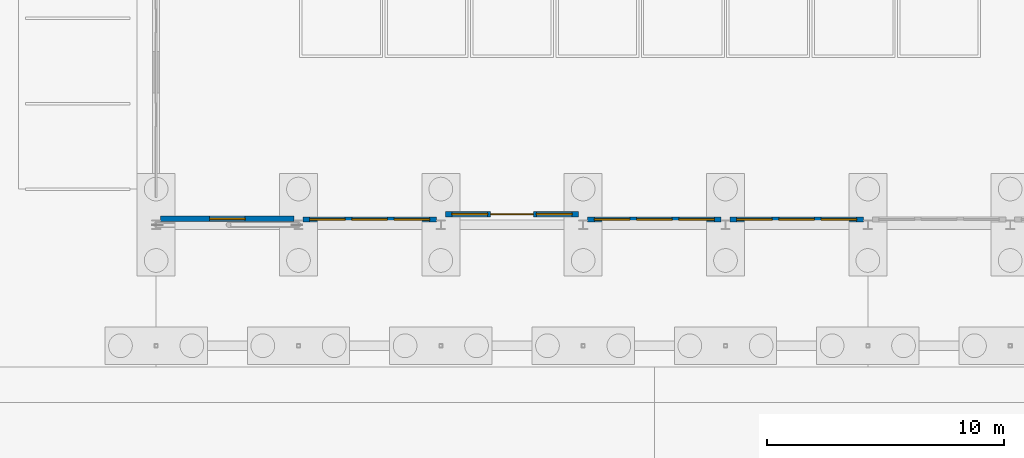
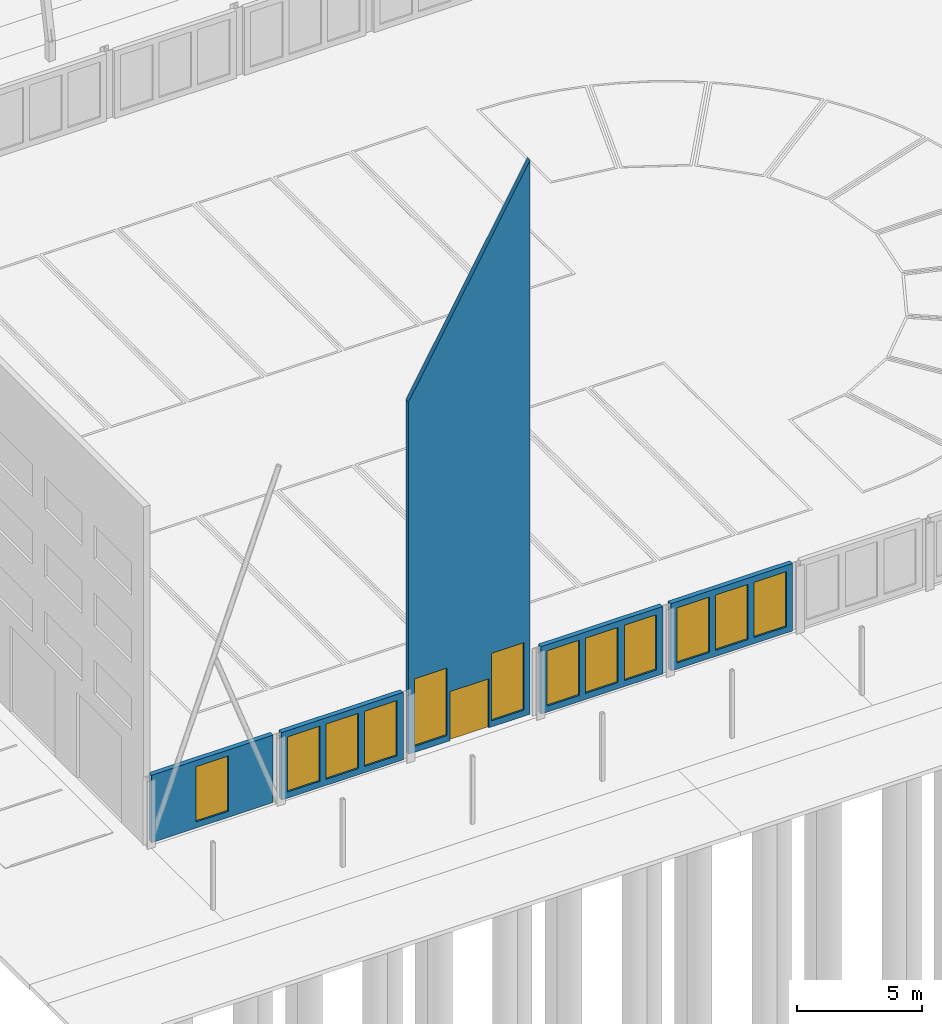
# One storey, part 76 of 130: 12 windows, 5 walls, 1 door, 13 openings.
"""IFC4 building model written with IfcOpenShell, lengths in metres."""

from ifc_helpers import new_model, si_unit, direction, frame, frame_2d, origin, place, context, subcontext, project, spatial, polyline, rectangle, outline, extrude, material, layer, layer_set, type_object, element, fill, save


model = new_model("IFC4")

# Units and contexts
model_context = context("Model", 3, precision=1e-05, world=origin(), true_north=direction((0.0, 1.0)))
body_context = subcontext(model_context, "Body", "Model", "MODEL_VIEW")
ifc_project = project(units=[si_unit("LENGTHUNIT", "METRE"), si_unit("AREAUNIT", "SQUARE_METRE"), si_unit("VOLUMEUNIT", "CUBIC_METRE"), si_unit("PLANEANGLEUNIT", "RADIAN"), si_unit("MASSUNIT", "GRAM", prefix="KILO")], contexts=[model_context])

# Site, building, storey
site_placement = place(None, origin())
site = spatial("IfcSite", under=ifc_project, at=site_placement, CompositionType="ELEMENT")
building_placement = place(site_placement, origin())
building = spatial("IfcBuilding", under=site, at=building_placement, Name="Parallax Yard Mobility Hub", CompositionType="ELEMENT")
storey_placement = place(building_placement, origin())
storey = spatial("IfcBuildingStorey", under=building, at=storey_placement, Name="L00", CompositionType="ELEMENT", Elevation=0.0)

# Wall, opening, window
ifc_material_1 = material(Name="Concrete fc' 35 MPa", Category="concrete")
ifc_layer = layer(ifc_material_1, 0.219970703125)
ifc_layer_set = layer_set([ifc_layer], Name="Gable panel, Concrete fc' 35 MPa precast, 220")
wall_type = type_object("IfcWallType", Name="Gable panel, Concrete fc' 35 MPa precast, 220", PredefinedType="SOLIDWALL", material=ifc_layer_set)
wall_1_placement = place(storey_placement, frame((9.1865234375, 7.74951171875, 0.0), z_axis=(0.0, 0.0, 1.0), x_axis=(1.0, 0.0, 0.0)))
wall_1 = element("IfcWall", 1, at=wall_1_placement, inside=storey, type_object=wall_type, Name="Bus and taxi deck south gable wall bay 1 level L00", PredefinedType="SOLIDWALL", context=body_context, shape_type="SweptSolid", body=[
    extrude(rectangle(XDim=5.626953125, YDim=0.219970703125, at=frame_2d((2.8134765625, 0.0))), origin(), (0.0, 0.0, 1.0), 3.300048828125),
])
opening_1_placement = place(wall_1_placement, frame((2.0634765625, 0.0, 0.300048828125)))
opening_1 = element("IfcOpeningElement", 2, at=opening_1_placement, cuts=wall_1, Name="Opening LV8", PredefinedType="OPENING", context=body_context, shape_type="SweptSolid", body=[
    extrude(rectangle(XDim=1.5, YDim=2.699951171875, at=frame_2d((0.75, 1.35009765625))), frame((0.0, 0.1201171875, 0.0), z_axis=(0.0, -1.0, 0.0), x_axis=(1.0, 0.0, 0.0)), (0.0, 0.0, 1.0), 0.239990234375),
])
ifc_material_2 = material(Name="Extruded aluminium storm louvre blades in a powder-coated frame", Category="aluminium")
window_type_1 = type_object("IfcWindowType", Name="Storm louvre 1500 x 2700", PartitioningType="SINGLE_PANEL", PredefinedType="WINDOW", material=ifc_material_2)
window_1_placement = place(opening_1_placement, origin())
window_1 = element("IfcWindow", 3, at=window_1_placement, inside=storey, type_object=window_type_1, Name="LV8 louvre level L00", OverallHeight=2.699951171875, OverallWidth=1.5, PartitioningType="SINGLE_PANEL", PredefinedType="WINDOW", context=body_context, shape_type="SweptSolid", body=[
    extrude(rectangle(XDim=1.5, YDim=2.699951171875, at=frame_2d((0.75, 1.35009765625))), frame((0.0, 0.030029296875, 0.0), z_axis=(0.0, -1.0, 0.0), x_axis=(1.0, 0.0, 0.0)), (0.0, 0.0, 1.0), 0.06005859375),
])
fill(opening_1, window_1)

# Wall, openings, windows
wall_2_placement = place(storey_placement, frame((15.1865234375, 7.72412109375, 0.0), z_axis=(0.0, 0.0, 1.0), x_axis=(1.0, 0.0, 0.0)))
wall_2 = element("IfcWall", 4, at=wall_2_placement, inside=storey, type_object=wall_type, Name="Bus and taxi deck south gable wall bay 2 level L00", PredefinedType="SOLIDWALL", context=body_context, shape_type="SweptSolid", body=[
    extrude(rectangle(XDim=5.626953125, YDim=0.219970703125, at=frame_2d((2.8134765625, 0.0))), origin(), (0.0, 0.0, 1.0), 3.300048828125),
])
opening_2_placement = place(wall_2_placement, frame((0.28173828125, 0.0, 0.300048828125)))
opening_2 = element("IfcOpeningElement", 5, at=opening_2_placement, cuts=wall_2, Name="Opening LV8", PredefinedType="OPENING", context=body_context, shape_type="SweptSolid", body=[
    extrude(rectangle(XDim=1.5, YDim=2.699951171875, at=frame_2d((0.75, 1.35009765625))), frame((0.0, 0.1201171875, 0.0), z_axis=(0.0, -1.0, 0.0), x_axis=(1.0, 0.0, 0.0)), (0.0, 0.0, 1.0), 0.239990234375),
])
opening_3_placement = place(wall_2_placement, frame((2.0634765625, 0.0, 0.300048828125)))
opening_3 = element("IfcOpeningElement", 6, at=opening_3_placement, cuts=wall_2, Name="Opening LV8", PredefinedType="OPENING", context=body_context, shape_type="SweptSolid", body=[
    extrude(rectangle(XDim=1.5, YDim=2.699951171875, at=frame_2d((0.75, 1.35009765625))), frame((0.0, 0.1201171875, 0.0), z_axis=(0.0, -1.0, 0.0), x_axis=(1.0, 0.0, 0.0)), (0.0, 0.0, 1.0), 0.239990234375),
])
opening_4_placement = place(wall_2_placement, frame((3.84521484375, 0.0, 0.300048828125)))
opening_4 = element("IfcOpeningElement", 7, at=opening_4_placement, cuts=wall_2, Name="Opening LV8", PredefinedType="OPENING", context=body_context, shape_type="SweptSolid", body=[
    extrude(rectangle(XDim=1.5, YDim=2.699951171875, at=frame_2d((0.75, 1.35009765625))), frame((0.0, 0.1201171875, 0.0), z_axis=(0.0, -1.0, 0.0), x_axis=(1.0, 0.0, 0.0)), (0.0, 0.0, 1.0), 0.239990234375),
])
window_2_placement = place(opening_2_placement, origin())
window_2 = element("IfcWindow", 8, at=window_2_placement, inside=storey, type_object=window_type_1, Name="LV8 louvre level L00", OverallHeight=2.699951171875, OverallWidth=1.5, PartitioningType="SINGLE_PANEL", PredefinedType="WINDOW", context=body_context, shape_type="SweptSolid", body=[
    extrude(rectangle(XDim=1.5, YDim=2.699951171875, at=frame_2d((0.75, 1.35009765625))), frame((0.0, 0.030029296875, 0.0), z_axis=(0.0, -1.0, 0.0), x_axis=(1.0, 0.0, 0.0)), (0.0, 0.0, 1.0), 0.06005859375),
])
fill(opening_2, window_2)
window_3_placement = place(opening_3_placement, origin())
window_3 = element("IfcWindow", 9, at=window_3_placement, inside=storey, type_object=window_type_1, Name="LV8 louvre level L00", OverallHeight=2.699951171875, OverallWidth=1.5, PartitioningType="SINGLE_PANEL", PredefinedType="WINDOW", context=body_context, shape_type="SweptSolid", body=[
    extrude(rectangle(XDim=1.5, YDim=2.699951171875, at=frame_2d((0.75, 1.35009765625))), frame((0.0, 0.030029296875, 0.0), z_axis=(0.0, -1.0, 0.0), x_axis=(1.0, 0.0, 0.0)), (0.0, 0.0, 1.0), 0.06005859375),
])
fill(opening_3, window_3)
window_4_placement = place(opening_4_placement, origin())
window_4 = element("IfcWindow", 10, at=window_4_placement, inside=storey, type_object=window_type_1, Name="LV8 louvre level L00", OverallHeight=2.699951171875, OverallWidth=1.5, PartitioningType="SINGLE_PANEL", PredefinedType="WINDOW", context=body_context, shape_type="SweptSolid", body=[
    extrude(rectangle(XDim=1.5, YDim=2.699951171875, at=frame_2d((0.75, 1.35009765625))), frame((0.0, 0.030029296875, 0.0), z_axis=(0.0, -1.0, 0.0), x_axis=(1.0, 0.0, 0.0)), (0.0, 0.0, 1.0), 0.06005859375),
])
fill(opening_4, window_4)

# Wall, openings, door, windows
wall_3_placement = place(storey_placement, frame((21.1865234375, 7.9482421875, 0.0), z_axis=(0.0, 0.0, 1.0), x_axis=(1.0, 0.0, 0.0)))
wall_3 = element("IfcWall", 11, at=wall_3_placement, inside=storey, type_object=wall_type, Name="Bus and taxi deck south gable wall bay 3 level L00", PredefinedType="SOLIDWALL", context=body_context, shape_type="SweptSolid", body=[
    extrude(outline(polyline([(0.0, 0.0), (5.626953125, 0.0), (5.626953125, 27.095947265625), (5.38232421875, 26.666748046875), (5.1376953125, 26.237548828125), (3.914306640625, 24.091552734375), (3.669921875, 23.66259765625), (2.691162109375, 21.94580078125), (2.446533203125, 21.5166015625), (1.468017578125, 19.7998046875), (1.223388671875, 19.37060546875), (0.24462890625, 17.65380859375), (0.0, 17.224853515625), (0.0, 0.0)])), frame((0.0, 0.10986328125, 0.0), z_axis=(0.0, -1.0, 0.0), x_axis=(1.0, 0.0, 0.0)), (0.0, 0.0, 1.0), 0.219970703125),
])
opening_5_placement = place(wall_3_placement, frame((1.91357421875, 0.0, 0.0)))
opening_5 = element("IfcOpeningElement", 12, at=opening_5_placement, cuts=wall_3, Name="Opening L00-D101", PredefinedType="OPENING", context=body_context, shape_type="SweptSolid", body=[
    extrude(rectangle(XDim=1.800048828125, YDim=2.39990234375, at=frame_2d((0.89990234375, 1.199951171875))), frame((0.0, 0.1201171875, 0.0), z_axis=(0.0, -1.0, 0.0), x_axis=(1.0, 0.0, 0.0)), (0.0, 0.0, 1.0), 0.239990234375),
])
opening_6_placement = place(wall_3_placement, frame((0.28173828125, 0.0, 0.300048828125)))
opening_6 = element("IfcOpeningElement", 13, at=opening_6_placement, cuts=wall_3, Name="Opening LV1", PredefinedType="OPENING", context=body_context, shape_type="SweptSolid", body=[
    extrude(rectangle(XDim=1.5, YDim=3.300048828125, at=frame_2d((0.75, 1.64990234375))), frame((0.0, 0.1201171875, 0.0), z_axis=(0.0, -1.0, 0.0), x_axis=(1.0, 0.0, 0.0)), (0.0, 0.0, 1.0), 0.239990234375),
])
opening_7_placement = place(wall_3_placement, frame((3.84521484375, 0.0, 0.300048828125)))
opening_7 = element("IfcOpeningElement", 14, at=opening_7_placement, cuts=wall_3, Name="Opening LV1", PredefinedType="OPENING", context=body_context, shape_type="SweptSolid", body=[
    extrude(rectangle(XDim=1.5, YDim=3.300048828125, at=frame_2d((0.75, 1.64990234375))), frame((0.0, 0.1201171875, 0.0), z_axis=(0.0, -1.0, 0.0), x_axis=(1.0, 0.0, 0.0)), (0.0, 0.0, 1.0), 0.239990234375),
])
ifc_material_3 = material(Name="Aluminium frame with laminated glass leaves", Category="aluminium")
door_type = type_object("IfcDoorType", Name="Entrance door double 1800 x 2400", OperationType="DOUBLE_DOOR_SINGLE_SWING", PredefinedType="DOOR", material=ifc_material_3)
door_placement = place(opening_5_placement, origin())
door = element("IfcDoor", 15, at=door_placement, inside=storey, type_object=door_type, Name="Entrance door L00-D101", OperationType="DOUBLE_DOOR_SINGLE_SWING", OverallHeight=2.39990234375, OverallWidth=1.800048828125, PredefinedType="DOOR", context=body_context, shape_type="SweptSolid", body=[
    extrude(rectangle(XDim=1.800048828125, YDim=2.39990234375, at=frame_2d((0.89990234375, 1.199951171875))), frame((0.0, 0.02490234375, 0.0), z_axis=(0.0, -1.0, 0.0), x_axis=(1.0, 0.0, 0.0)), (0.0, 0.0, 1.0), 0.050048828125),
])
fill(opening_5, door)
window_type_2 = type_object("IfcWindowType", Name="Storm louvre 1500 x 3300", PartitioningType="SINGLE_PANEL", PredefinedType="WINDOW", material=ifc_material_2)
window_5_placement = place(opening_6_placement, origin())
window_5 = element("IfcWindow", 16, at=window_5_placement, inside=storey, type_object=window_type_2, Name="LV1 louvre level L00", OverallHeight=3.300048828125, OverallWidth=1.5, PartitioningType="SINGLE_PANEL", PredefinedType="WINDOW", context=body_context, shape_type="SweptSolid", body=[
    extrude(rectangle(XDim=1.5, YDim=3.300048828125, at=frame_2d((0.75, 1.64990234375))), frame((0.0, 0.030029296875, 0.0), z_axis=(0.0, -1.0, 0.0), x_axis=(1.0, 0.0, 0.0)), (0.0, 0.0, 1.0), 0.06005859375),
])
fill(opening_6, window_5)
window_6_placement = place(opening_7_placement, origin())
window_6 = element("IfcWindow", 17, at=window_6_placement, inside=storey, type_object=window_type_2, Name="LV1 louvre level L00", OverallHeight=3.300048828125, OverallWidth=1.5, PartitioningType="SINGLE_PANEL", PredefinedType="WINDOW", context=body_context, shape_type="SweptSolid", body=[
    extrude(rectangle(XDim=1.5, YDim=3.300048828125, at=frame_2d((0.75, 1.64990234375))), frame((0.0, 0.030029296875, 0.0), z_axis=(0.0, -1.0, 0.0), x_axis=(1.0, 0.0, 0.0)), (0.0, 0.0, 1.0), 0.06005859375),
])
fill(opening_7, window_6)

# Wall, openings, windows
wall_4_placement = place(storey_placement, frame((27.1865234375, 7.72412109375, 0.0), z_axis=(0.0, 0.0, 1.0), x_axis=(1.0, 0.0, 0.0)))
wall_4 = element("IfcWall", 18, at=wall_4_placement, inside=storey, type_object=wall_type, Name="Bus and taxi deck south gable wall bay 4 level L00", PredefinedType="SOLIDWALL", context=body_context, shape_type="SweptSolid", body=[
    extrude(rectangle(XDim=5.626953125, YDim=0.219970703125, at=frame_2d((2.8134765625, 0.0))), origin(), (0.0, 0.0, 1.0), 3.300048828125),
])
opening_8_placement = place(wall_4_placement, frame((0.28173828125, 0.0, 0.300048828125)))
opening_8 = element("IfcOpeningElement", 19, at=opening_8_placement, cuts=wall_4, Name="Opening LV8", PredefinedType="OPENING", context=body_context, shape_type="SweptSolid", body=[
    extrude(rectangle(XDim=1.5, YDim=2.699951171875, at=frame_2d((0.75, 1.35009765625))), frame((0.0, 0.1201171875, 0.0), z_axis=(0.0, -1.0, 0.0), x_axis=(1.0, 0.0, 0.0)), (0.0, 0.0, 1.0), 0.239990234375),
])
opening_9_placement = place(wall_4_placement, frame((2.0634765625, 0.0, 0.300048828125)))
opening_9 = element("IfcOpeningElement", 20, at=opening_9_placement, cuts=wall_4, Name="Opening LV8", PredefinedType="OPENING", context=body_context, shape_type="SweptSolid", body=[
    extrude(rectangle(XDim=1.5, YDim=2.699951171875, at=frame_2d((0.75, 1.35009765625))), frame((0.0, 0.1201171875, 0.0), z_axis=(0.0, -1.0, 0.0), x_axis=(1.0, 0.0, 0.0)), (0.0, 0.0, 1.0), 0.239990234375),
])
opening_10_placement = place(wall_4_placement, frame((3.84521484375, 0.0, 0.300048828125)))
opening_10 = element("IfcOpeningElement", 21, at=opening_10_placement, cuts=wall_4, Name="Opening LV8", PredefinedType="OPENING", context=body_context, shape_type="SweptSolid", body=[
    extrude(rectangle(XDim=1.5, YDim=2.699951171875, at=frame_2d((0.75, 1.35009765625))), frame((0.0, 0.1201171875, 0.0), z_axis=(0.0, -1.0, 0.0), x_axis=(1.0, 0.0, 0.0)), (0.0, 0.0, 1.0), 0.239990234375),
])
window_7_placement = place(opening_8_placement, origin())
window_7 = element("IfcWindow", 22, at=window_7_placement, inside=storey, type_object=window_type_1, Name="LV8 louvre level L00", OverallHeight=2.699951171875, OverallWidth=1.5, PartitioningType="SINGLE_PANEL", PredefinedType="WINDOW", context=body_context, shape_type="SweptSolid", body=[
    extrude(rectangle(XDim=1.5, YDim=2.699951171875, at=frame_2d((0.75, 1.35009765625))), frame((0.0, 0.030029296875, 0.0), z_axis=(0.0, -1.0, 0.0), x_axis=(1.0, 0.0, 0.0)), (0.0, 0.0, 1.0), 0.06005859375),
])
fill(opening_8, window_7)
window_8_placement = place(opening_9_placement, origin())
window_8 = element("IfcWindow", 23, at=window_8_placement, inside=storey, type_object=window_type_1, Name="LV8 louvre level L00", OverallHeight=2.699951171875, OverallWidth=1.5, PartitioningType="SINGLE_PANEL", PredefinedType="WINDOW", context=body_context, shape_type="SweptSolid", body=[
    extrude(rectangle(XDim=1.5, YDim=2.699951171875, at=frame_2d((0.75, 1.35009765625))), frame((0.0, 0.030029296875, 0.0), z_axis=(0.0, -1.0, 0.0), x_axis=(1.0, 0.0, 0.0)), (0.0, 0.0, 1.0), 0.06005859375),
])
fill(opening_9, window_8)
window_9_placement = place(opening_10_placement, origin())
window_9 = element("IfcWindow", 24, at=window_9_placement, inside=storey, type_object=window_type_1, Name="LV8 louvre level L00", OverallHeight=2.699951171875, OverallWidth=1.5, PartitioningType="SINGLE_PANEL", PredefinedType="WINDOW", context=body_context, shape_type="SweptSolid", body=[
    extrude(rectangle(XDim=1.5, YDim=2.699951171875, at=frame_2d((0.75, 1.35009765625))), frame((0.0, 0.030029296875, 0.0), z_axis=(0.0, -1.0, 0.0), x_axis=(1.0, 0.0, 0.0)), (0.0, 0.0, 1.0), 0.06005859375),
])
fill(opening_10, window_9)

wall_5_placement = place(storey_placement, frame((33.1865234375, 7.72412109375, 0.0), z_axis=(0.0, 0.0, 1.0), x_axis=(1.0, 0.0, 0.0)))
wall_5 = element("IfcWall", 25, at=wall_5_placement, inside=storey, type_object=wall_type, Name="Bus and taxi deck south gable wall bay 5 level L00", PredefinedType="SOLIDWALL", context=body_context, shape_type="SweptSolid", body=[
    extrude(rectangle(XDim=5.626953125, YDim=0.219970703125, at=frame_2d((2.8134765625, 0.0))), origin(), (0.0, 0.0, 1.0), 3.300048828125),
])
opening_11_placement = place(wall_5_placement, frame((0.28173828125, 0.0, 0.300048828125)))
opening_11 = element("IfcOpeningElement", 26, at=opening_11_placement, cuts=wall_5, Name="Opening LV8", PredefinedType="OPENING", context=body_context, shape_type="SweptSolid", body=[
    extrude(rectangle(XDim=1.5, YDim=2.699951171875, at=frame_2d((0.75, 1.35009765625))), frame((0.0, 0.1201171875, 0.0), z_axis=(0.0, -1.0, 0.0), x_axis=(1.0, 0.0, 0.0)), (0.0, 0.0, 1.0), 0.239990234375),
])
opening_12_placement = place(wall_5_placement, frame((2.0634765625, 0.0, 0.300048828125)))
opening_12 = element("IfcOpeningElement", 27, at=opening_12_placement, cuts=wall_5, Name="Opening LV8", PredefinedType="OPENING", context=body_context, shape_type="SweptSolid", body=[
    extrude(rectangle(XDim=1.5, YDim=2.699951171875, at=frame_2d((0.75, 1.35009765625))), frame((0.0, 0.1201171875, 0.0), z_axis=(0.0, -1.0, 0.0), x_axis=(1.0, 0.0, 0.0)), (0.0, 0.0, 1.0), 0.239990234375),
])
opening_13_placement = place(wall_5_placement, frame((3.84521484375, 0.0, 0.300048828125)))
opening_13 = element("IfcOpeningElement", 28, at=opening_13_placement, cuts=wall_5, Name="Opening LV8", PredefinedType="OPENING", context=body_context, shape_type="SweptSolid", body=[
    extrude(rectangle(XDim=1.5, YDim=2.699951171875, at=frame_2d((0.75, 1.35009765625))), frame((0.0, 0.1201171875, 0.0), z_axis=(0.0, -1.0, 0.0), x_axis=(1.0, 0.0, 0.0)), (0.0, 0.0, 1.0), 0.239990234375),
])
window_10_placement = place(opening_11_placement, origin())
window_10 = element("IfcWindow", 29, at=window_10_placement, inside=storey, type_object=window_type_1, Name="LV8 louvre level L00", OverallHeight=2.699951171875, OverallWidth=1.5, PartitioningType="SINGLE_PANEL", PredefinedType="WINDOW", context=body_context, shape_type="SweptSolid", body=[
    extrude(rectangle(XDim=1.5, YDim=2.699951171875, at=frame_2d((0.75, 1.35009765625))), frame((0.0, 0.030029296875, 0.0), z_axis=(0.0, -1.0, 0.0), x_axis=(1.0, 0.0, 0.0)), (0.0, 0.0, 1.0), 0.06005859375),
])
fill(opening_11, window_10)
window_11_placement = place(opening_12_placement, origin())
window_11 = element("IfcWindow", 30, at=window_11_placement, inside=storey, type_object=window_type_1, Name="LV8 louvre level L00", OverallHeight=2.699951171875, OverallWidth=1.5, PartitioningType="SINGLE_PANEL", PredefinedType="WINDOW", context=body_context, shape_type="SweptSolid", body=[
    extrude(rectangle(XDim=1.5, YDim=2.699951171875, at=frame_2d((0.75, 1.35009765625))), frame((0.0, 0.030029296875, 0.0), z_axis=(0.0, -1.0, 0.0), x_axis=(1.0, 0.0, 0.0)), (0.0, 0.0, 1.0), 0.06005859375),
])
fill(opening_12, window_11)
window_12_placement = place(opening_13_placement, origin())
window_12 = element("IfcWindow", 31, at=window_12_placement, inside=storey, type_object=window_type_1, Name="LV8 louvre level L00", OverallHeight=2.699951171875, OverallWidth=1.5, PartitioningType="SINGLE_PANEL", PredefinedType="WINDOW", context=body_context, shape_type="SweptSolid", body=[
    extrude(rectangle(XDim=1.5, YDim=2.699951171875, at=frame_2d((0.75, 1.35009765625))), frame((0.0, 0.030029296875, 0.0), z_axis=(0.0, -1.0, 0.0), x_axis=(1.0, 0.0, 0.0)), (0.0, 0.0, 1.0), 0.06005859375),
])
fill(opening_13, window_12)

save(model, "model.ifc")
